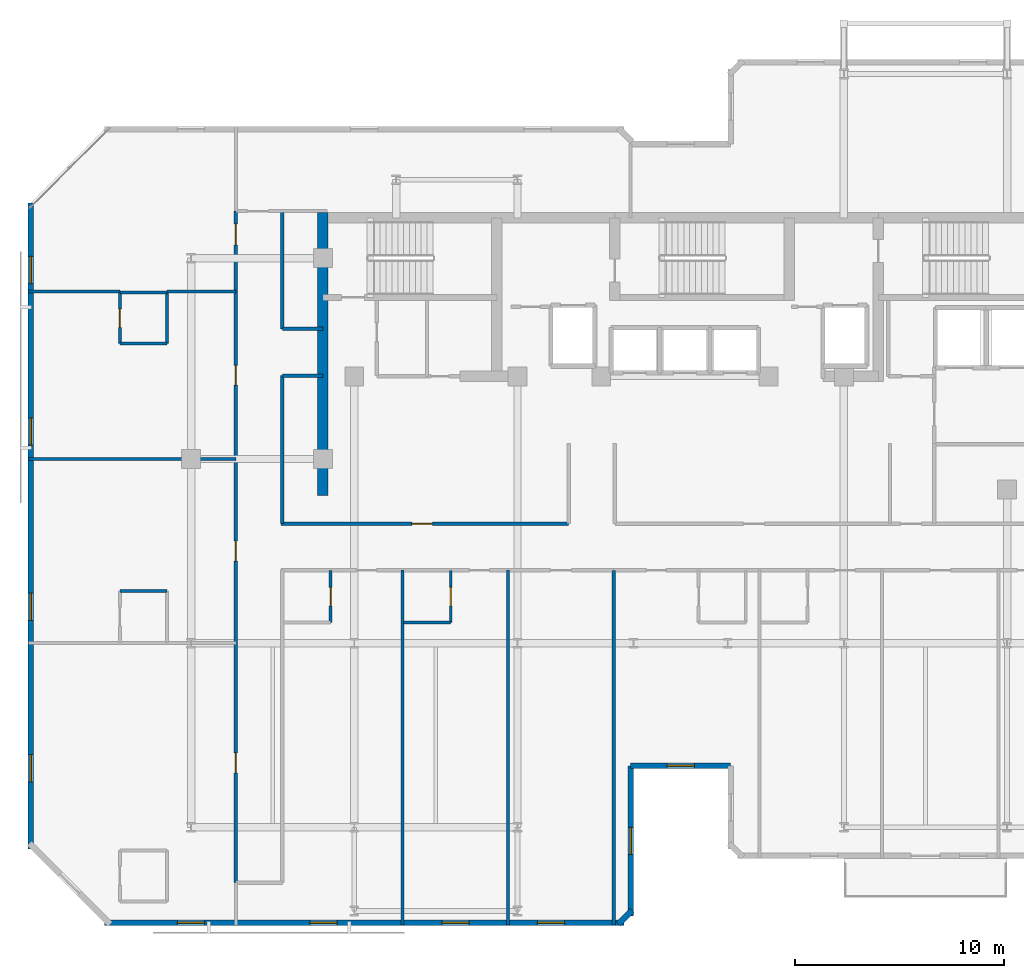
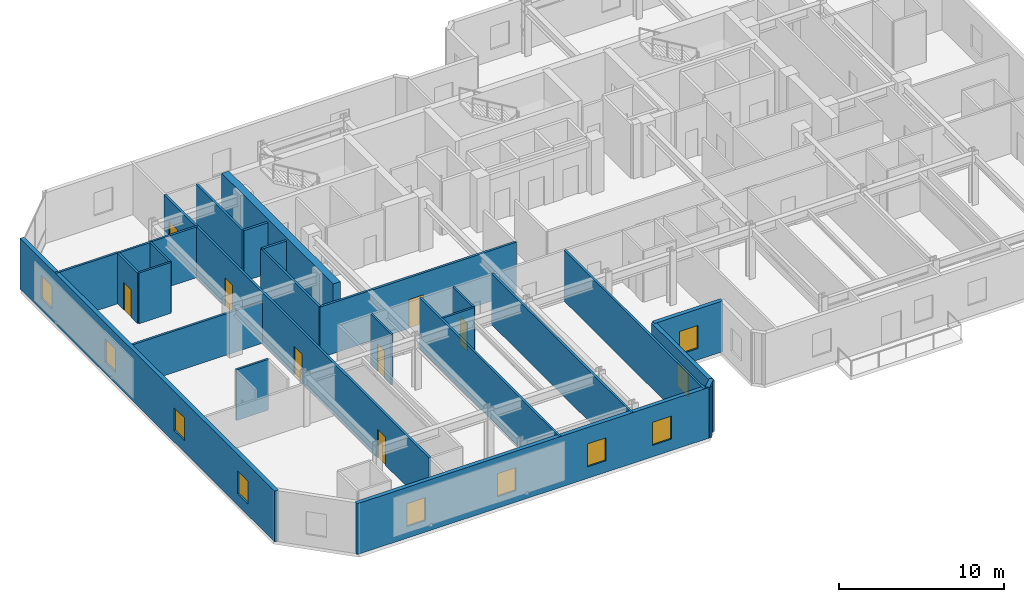
# One storey, part 4 of 10: 26 walls, 10 windows, 8 doors, 18 openings.
"""IFC4 building model written with IfcOpenShell, lengths in metres."""

from ifc_helpers import new_model, si_unit, direction, frame, frame_2d, origin, place, context, subcontext, project, spatial, rectangle, extrude, material, layer, layer_set, type_object, element, fill, save


model = new_model("IFC4")

# Units and contexts
model_context = context("Model", 3, precision=1e-05, world=origin(), true_north=direction((0.0, 1.0)))
body_context = subcontext(model_context, "Body", "Model", "MODEL_VIEW")
ifc_project = project(units=[si_unit("LENGTHUNIT", "METRE"), si_unit("AREAUNIT", "SQUARE_METRE"), si_unit("VOLUMEUNIT", "CUBIC_METRE"), si_unit("PLANEANGLEUNIT", "RADIAN"), si_unit("MASSUNIT", "GRAM", prefix="KILO")], contexts=[model_context])

# Site, building, storey
site_placement = place(None, origin())
site = spatial("IfcSite", under=ifc_project, at=site_placement, CompositionType="ELEMENT")
building_placement = place(site_placement, origin())
building = spatial("IfcBuilding", under=site, at=building_placement, Name="Kestravale Grand Hotel", CompositionType="ELEMENT")
storey_placement = place(building_placement, frame((0.0, 0.0, 253.39990234375)))
storey = spatial("IfcBuildingStorey", under=building, at=storey_placement, Name="L63", CompositionType="ELEMENT", Elevation=253.39990234375)

# Wall
ifc_material_1 = material(Name="Concrete f'c 50 MPa", Category="concrete")
ifc_layer_1 = layer(ifc_material_1, 0.5)
ifc_layer_set_1 = layer_set([ifc_layer_1], Name="EW-CORE-500")
wall_type_1 = type_object("IfcWallType", Name="EW-CORE-500", PredefinedType="SHEAR", material=ifc_layer_set_1)
wall_1_placement = place(storey_placement, frame((21.89990234375, 27.050048828125, 0.0), z_axis=(0.0, 0.0, 1.0), x_axis=(0.0, 1.0, 0.0)))
element("IfcWall", 1, at=wall_1_placement, inside=storey, type_object=wall_type_1, Name="L63 core shear wall W1", PredefinedType="SHEAR", context=body_context, shape_type="SweptSolid", body=[
    extrude(rectangle(XDim=13.52001953125, YDim=0.5, at=frame_2d((6.760009765625, 0.0))), origin(), (0.0, 0.0, 1.0), 4.0),
])

# Wall, openings, windows
ifc_material_2 = material(Name="Precast concrete f'c 45 MPa", Category="concrete")
ifc_layer_2 = layer(ifc_material_2, 0.280029296875)
ifc_layer_set_2 = layer_set([ifc_layer_2], Name="EW-PREC-280")
wall_type_2 = type_object("IfcWallType", Name="EW-PREC-280", PredefinedType="SOLIDWALL", material=ifc_layer_set_2)
wall_2_placement = place(storey_placement, frame((11.4599609375, 6.639892578125, 0.0), z_axis=(0.0, 0.0, 1.0), x_axis=(1.0, 0.0, 0.0)))
wall_2 = element("IfcWall", 2, at=wall_2_placement, inside=storey, type_object=wall_type_2, Name="L63 fluted precast facade wall 1", PredefinedType="SOLIDWALL", context=body_context, shape_type="SweptSolid", body=[
    extrude(rectangle(XDim=24.830078125, YDim=0.280029296875, at=frame_2d((12.4150390625, 0.0))), origin(), (0.0, 0.0, 1.0), 3.760009765625),
])
opening_1_placement = place(wall_2_placement, frame((3.48828125, 0.0, 0.85009765625)))
opening_1 = element("IfcOpeningElement", 3, at=opening_1_placement, cuts=wall_2, Name="Opening W-GUEST-1300", PredefinedType="OPENING", context=body_context, shape_type="SweptSolid", body=[
    extrude(rectangle(XDim=1.300048828125, YDim=1.699951171875, at=frame_2d((0.64990234375, 0.85009765625))), frame((0.0, 0.14990234375, 0.0), z_axis=(0.0, -1.0, 0.0), x_axis=(1.0, 0.0, 0.0)), (0.0, 0.0, 1.0), 0.300048828125),
])
opening_2_placement = place(wall_2_placement, frame((20.691650390625, 0.0, 0.85009765625)))
opening_2 = element("IfcOpeningElement", 4, at=opening_2_placement, cuts=wall_2, Name="Opening W-GUEST-1300", PredefinedType="OPENING", context=body_context, shape_type="SweptSolid", body=[
    extrude(rectangle(XDim=1.300048828125, YDim=1.699951171875, at=frame_2d((0.64990234375, 0.85009765625))), frame((0.0, 0.14990234375, 0.0), z_axis=(0.0, -1.0, 0.0), x_axis=(1.0, 0.0, 0.0)), (0.0, 0.0, 1.0), 0.300048828125),
])
opening_3_placement = place(wall_2_placement, frame((9.820068359375, 0.0, 0.85009765625)))
opening_3 = element("IfcOpeningElement", 5, at=opening_3_placement, cuts=wall_2, Name="Opening W-GUEST-1300", PredefinedType="OPENING", context=body_context, shape_type="SweptSolid", body=[
    extrude(rectangle(XDim=1.300048828125, YDim=1.699951171875, at=frame_2d((0.64990234375, 0.85009765625))), frame((0.0, 0.14990234375, 0.0), z_axis=(0.0, -1.0, 0.0), x_axis=(1.0, 0.0, 0.0)), (0.0, 0.0, 1.0), 0.300048828125),
])
opening_4_placement = place(wall_2_placement, frame((16.125, 0.0, 0.85009765625)))
opening_4 = element("IfcOpeningElement", 6, at=opening_4_placement, cuts=wall_2, Name="Opening W-GUEST-1300", PredefinedType="OPENING", context=body_context, shape_type="SweptSolid", body=[
    extrude(rectangle(XDim=1.300048828125, YDim=1.699951171875, at=frame_2d((0.64990234375, 0.85009765625))), frame((0.0, 0.14990234375, 0.0), z_axis=(0.0, -1.0, 0.0), x_axis=(1.0, 0.0, 0.0)), (0.0, 0.0, 1.0), 0.300048828125),
])
ifc_material_3 = material(Name="Insulated low-E double glazing in aluminium frame", Category="aluminium")
window_type = type_object("IfcWindowType", Name="W-GUEST-1300", PartitioningType="SINGLE_PANEL", PredefinedType="WINDOW", material=ifc_material_3)
window_1_placement = place(opening_1_placement, origin())
window_1 = element("IfcWindow", 7, at=window_1_placement, inside=storey, type_object=window_type, Name="L63 exterior window 1.1", OverallHeight=1.699951171875, OverallWidth=1.300048828125, PartitioningType="SINGLE_PANEL", PredefinedType="WINDOW", context=body_context, shape_type="SweptSolid", body=[
    extrude(rectangle(XDim=1.300048828125, YDim=1.699951171875, at=frame_2d((0.64990234375, 0.85009765625))), frame((0.0, 0.030029296875, 0.0), z_axis=(0.0, -1.0, 0.0), x_axis=(1.0, 0.0, 0.0)), (0.0, 0.0, 1.0), 0.06005859375),
])
fill(opening_1, window_1)
window_2_placement = place(opening_2_placement, origin())
window_2 = element("IfcWindow", 8, at=window_2_placement, inside=storey, type_object=window_type, Name="L63 exterior window 1.2", OverallHeight=1.699951171875, OverallWidth=1.300048828125, PartitioningType="SINGLE_PANEL", PredefinedType="WINDOW", context=body_context, shape_type="SweptSolid", body=[
    extrude(rectangle(XDim=1.300048828125, YDim=1.699951171875, at=frame_2d((0.64990234375, 0.85009765625))), frame((0.0, 0.030029296875, 0.0), z_axis=(0.0, -1.0, 0.0), x_axis=(1.0, 0.0, 0.0)), (0.0, 0.0, 1.0), 0.06005859375),
])
fill(opening_2, window_2)
window_3_placement = place(opening_3_placement, origin())
window_3 = element("IfcWindow", 9, at=window_3_placement, inside=storey, type_object=window_type, Name="L63 guestroom envelope window 1", OverallHeight=1.699951171875, OverallWidth=1.300048828125, PartitioningType="SINGLE_PANEL", PredefinedType="WINDOW", context=body_context, shape_type="SweptSolid", body=[
    extrude(rectangle(XDim=1.300048828125, YDim=1.699951171875, at=frame_2d((0.64990234375, 0.85009765625))), frame((0.0, 0.030029296875, 0.0), z_axis=(0.0, -1.0, 0.0), x_axis=(1.0, 0.0, 0.0)), (0.0, 0.0, 1.0), 0.06005859375),
])
fill(opening_3, window_3)
window_4_placement = place(opening_4_placement, origin())
window_4 = element("IfcWindow", 10, at=window_4_placement, inside=storey, type_object=window_type, Name="L63 guestroom envelope window 2", OverallHeight=1.699951171875, OverallWidth=1.300048828125, PartitioningType="SINGLE_PANEL", PredefinedType="WINDOW", context=body_context, shape_type="SweptSolid", body=[
    extrude(rectangle(XDim=1.300048828125, YDim=1.699951171875, at=frame_2d((0.64990234375, 0.85009765625))), frame((0.0, 0.030029296875, 0.0), z_axis=(0.0, -1.0, 0.0), x_axis=(1.0, 0.0, 0.0)), (0.0, 0.0, 1.0), 0.06005859375),
])
fill(opening_4, window_4)

# Wall
wall_3_placement = place(storey_placement, frame((36.022705078125, 6.57080078125, 0.0), z_axis=(0.0, 0.0, 1.0), x_axis=(0.707106781187, 0.707106781187, 0.0)))
element("IfcWall", 11, at=wall_3_placement, inside=storey, type_object=wall_type_2, Name="L63 fluted precast facade wall 2", PredefinedType="SOLIDWALL", context=body_context, shape_type="SweptSolid", body=[
    extrude(rectangle(XDim=0.928466796875, YDim=0.280029296875, at=frame_2d((0.46435546875, 0.0))), origin(), (0.0, 0.0, 1.0), 3.760009765625),
])

# Wall, opening, window
wall_4_placement = place(storey_placement, frame((36.610107421875, 6.9599609375, 0.0), z_axis=(0.0, 0.0, 1.0), x_axis=(0.0, 1.0, 0.0)))
wall_4 = element("IfcWall", 12, at=wall_4_placement, inside=storey, type_object=wall_type_2, Name="L63 fluted precast facade wall 3", PredefinedType="SOLIDWALL", context=body_context, shape_type="SweptSolid", body=[
    extrude(rectangle(XDim=7.179931640625, YDim=0.280029296875, at=frame_2d((3.58984375, 0.0))), origin(), (0.0, 0.0, 1.0), 3.760009765625),
])
opening_5_placement = place(wall_4_placement, frame((2.93994140625, 0.0, 0.85009765625)))
opening_5 = element("IfcOpeningElement", 13, at=opening_5_placement, cuts=wall_4, Name="Opening W-GUEST-1300", PredefinedType="OPENING", context=body_context, shape_type="SweptSolid", body=[
    extrude(rectangle(XDim=1.300048828125, YDim=1.699951171875, at=frame_2d((0.64990234375, 0.85009765625))), frame((0.0, 0.14990234375, 0.0), z_axis=(0.0, -1.0, 0.0), x_axis=(1.0, 0.0, 0.0)), (0.0, 0.0, 1.0), 0.300048828125),
])
window_5_placement = place(opening_5_placement, origin())
window_5 = element("IfcWindow", 14, at=window_5_placement, inside=storey, type_object=window_type, Name="L63 exterior window 3.1", OverallHeight=1.699951171875, OverallWidth=1.300048828125, PartitioningType="SINGLE_PANEL", PredefinedType="WINDOW", context=body_context, shape_type="SweptSolid", body=[
    extrude(rectangle(XDim=1.300048828125, YDim=1.699951171875, at=frame_2d((0.64990234375, 0.85009765625))), frame((0.0, 0.030029296875, 0.0), z_axis=(0.0, -1.0, 0.0), x_axis=(1.0, 0.0, 0.0)), (0.0, 0.0, 1.0), 0.06005859375),
])
fill(opening_5, window_5)

wall_5_placement = place(storey_placement, frame((36.610107421875, 14.139892578125, 0.0), z_axis=(0.0, 0.0, 1.0), x_axis=(1.0, 0.0, 0.0)))
wall_5 = element("IfcWall", 15, at=wall_5_placement, inside=storey, type_object=wall_type_2, Name="L63 fluted precast facade wall 4", PredefinedType="SOLIDWALL", context=body_context, shape_type="SweptSolid", body=[
    extrude(rectangle(XDim=4.77978515625, YDim=0.280029296875, at=frame_2d((2.389892578125, 0.0))), origin(), (0.0, 0.0, 1.0), 3.760009765625),
])
opening_6_placement = place(wall_5_placement, frame((1.739990234375, 0.0, 0.85009765625)))
opening_6 = element("IfcOpeningElement", 16, at=opening_6_placement, cuts=wall_5, Name="Opening W-GUEST-1300", PredefinedType="OPENING", context=body_context, shape_type="SweptSolid", body=[
    extrude(rectangle(XDim=1.300048828125, YDim=1.699951171875, at=frame_2d((0.64990234375, 0.85009765625))), frame((0.0, 0.14990234375, 0.0), z_axis=(0.0, -1.0, 0.0), x_axis=(1.0, 0.0, 0.0)), (0.0, 0.0, 1.0), 0.300048828125),
])
window_6_placement = place(opening_6_placement, origin())
window_6 = element("IfcWindow", 17, at=window_6_placement, inside=storey, type_object=window_type, Name="L63 exterior window 4.1", OverallHeight=1.699951171875, OverallWidth=1.300048828125, PartitioningType="SINGLE_PANEL", PredefinedType="WINDOW", context=body_context, shape_type="SweptSolid", body=[
    extrude(rectangle(XDim=1.300048828125, YDim=1.699951171875, at=frame_2d((0.64990234375, 0.85009765625))), frame((0.0, 0.030029296875, 0.0), z_axis=(0.0, -1.0, 0.0), x_axis=(1.0, 0.0, 0.0)), (0.0, 0.0, 1.0), 0.06005859375),
])
fill(opening_6, window_6)

# Wall, openings, windows
wall_6_placement = place(storey_placement, frame((7.93994140625, 41.0400390625, 0.0), z_axis=(0.0, 0.0, 1.0), x_axis=(0.0, -1.0, 0.0)))
wall_6 = element("IfcWall", 18, at=wall_6_placement, inside=storey, type_object=wall_type_2, Name="L63 fluted precast facade wall 19", PredefinedType="SOLIDWALL", context=body_context, shape_type="SweptSolid", body=[
    extrude(rectangle(XDim=30.880126953125, YDim=0.280029296875, at=frame_2d((15.43994140625, 0.0))), origin(), (0.0, 0.0, 1.0), 3.760009765625),
])
opening_7_placement = place(wall_6_placement, frame((2.56005859375, 0.0, 0.85009765625)))
opening_7 = element("IfcOpeningElement", 19, at=opening_7_placement, cuts=wall_6, Name="Opening W-GUEST-1300", PredefinedType="OPENING", context=body_context, shape_type="SweptSolid", body=[
    extrude(rectangle(XDim=1.300048828125, YDim=1.699951171875, at=frame_2d((0.64990234375, 0.85009765625))), frame((0.0, 0.14990234375, 0.0), z_axis=(0.0, -1.0, 0.0), x_axis=(1.0, 0.0, 0.0)), (0.0, 0.0, 1.0), 0.300048828125),
])
opening_8_placement = place(wall_6_placement, frame((10.280029296875, 0.0, 0.85009765625)))
opening_8 = element("IfcOpeningElement", 20, at=opening_8_placement, cuts=wall_6, Name="Opening W-GUEST-1300", PredefinedType="OPENING", context=body_context, shape_type="SweptSolid", body=[
    extrude(rectangle(XDim=1.300048828125, YDim=1.699951171875, at=frame_2d((0.64990234375, 0.85009765625))), frame((0.0, 0.14990234375, 0.0), z_axis=(0.0, -1.0, 0.0), x_axis=(1.0, 0.0, 0.0)), (0.0, 0.0, 1.0), 0.300048828125),
])
opening_9_placement = place(wall_6_placement, frame((18.64990234375, 0.0, 0.85009765625)))
opening_9 = element("IfcOpeningElement", 21, at=opening_9_placement, cuts=wall_6, Name="Opening W-GUEST-1300", PredefinedType="OPENING", context=body_context, shape_type="SweptSolid", body=[
    extrude(rectangle(XDim=1.300048828125, YDim=1.699951171875, at=frame_2d((0.64990234375, 0.85009765625))), frame((0.0, 0.14990234375, 0.0), z_axis=(0.0, -1.0, 0.0), x_axis=(1.0, 0.0, 0.0)), (0.0, 0.0, 1.0), 0.300048828125),
])
opening_10_placement = place(wall_6_placement, frame((26.3701171875, 0.0, 0.85009765625)))
opening_10 = element("IfcOpeningElement", 22, at=opening_10_placement, cuts=wall_6, Name="Opening W-GUEST-1300", PredefinedType="OPENING", context=body_context, shape_type="SweptSolid", body=[
    extrude(rectangle(XDim=1.300048828125, YDim=1.699951171875, at=frame_2d((0.64990234375, 0.85009765625))), frame((0.0, 0.14990234375, 0.0), z_axis=(0.0, -1.0, 0.0), x_axis=(1.0, 0.0, 0.0)), (0.0, 0.0, 1.0), 0.300048828125),
])
window_7_placement = place(opening_7_placement, origin())
window_7 = element("IfcWindow", 23, at=window_7_placement, inside=storey, type_object=window_type, Name="L63 exterior window 19.1", OverallHeight=1.699951171875, OverallWidth=1.300048828125, PartitioningType="SINGLE_PANEL", PredefinedType="WINDOW", context=body_context, shape_type="SweptSolid", body=[
    extrude(rectangle(XDim=1.300048828125, YDim=1.699951171875, at=frame_2d((0.64990234375, 0.85009765625))), frame((0.0, 0.030029296875, 0.0), z_axis=(0.0, -1.0, 0.0), x_axis=(1.0, 0.0, 0.0)), (0.0, 0.0, 1.0), 0.06005859375),
])
fill(opening_7, window_7)
window_8_placement = place(opening_8_placement, origin())
window_8 = element("IfcWindow", 24, at=window_8_placement, inside=storey, type_object=window_type, Name="L63 exterior window 19.2", OverallHeight=1.699951171875, OverallWidth=1.300048828125, PartitioningType="SINGLE_PANEL", PredefinedType="WINDOW", context=body_context, shape_type="SweptSolid", body=[
    extrude(rectangle(XDim=1.300048828125, YDim=1.699951171875, at=frame_2d((0.64990234375, 0.85009765625))), frame((0.0, 0.030029296875, 0.0), z_axis=(0.0, -1.0, 0.0), x_axis=(1.0, 0.0, 0.0)), (0.0, 0.0, 1.0), 0.06005859375),
])
fill(opening_8, window_8)
window_9_placement = place(opening_9_placement, origin())
window_9 = element("IfcWindow", 25, at=window_9_placement, inside=storey, type_object=window_type, Name="L63 exterior window 19.3", OverallHeight=1.699951171875, OverallWidth=1.300048828125, PartitioningType="SINGLE_PANEL", PredefinedType="WINDOW", context=body_context, shape_type="SweptSolid", body=[
    extrude(rectangle(XDim=1.300048828125, YDim=1.699951171875, at=frame_2d((0.64990234375, 0.85009765625))), frame((0.0, 0.030029296875, 0.0), z_axis=(0.0, -1.0, 0.0), x_axis=(1.0, 0.0, 0.0)), (0.0, 0.0, 1.0), 0.06005859375),
])
fill(opening_9, window_9)
window_10_placement = place(opening_10_placement, origin())
window_10 = element("IfcWindow", 26, at=window_10_placement, inside=storey, type_object=window_type, Name="L63 exterior window 19.4", OverallHeight=1.699951171875, OverallWidth=1.300048828125, PartitioningType="SINGLE_PANEL", PredefinedType="WINDOW", context=body_context, shape_type="SweptSolid", body=[
    extrude(rectangle(XDim=1.300048828125, YDim=1.699951171875, at=frame_2d((0.64990234375, 0.85009765625))), frame((0.0, 0.030029296875, 0.0), z_axis=(0.0, -1.0, 0.0), x_axis=(1.0, 0.0, 0.0)), (0.0, 0.0, 1.0), 0.06005859375),
])
fill(opening_10, window_10)

# Wall, opening, door
ifc_material_4 = material(Name="Acoustic fire-rated gypsum board partition", Category="other")
ifc_layer_3 = layer(ifc_material_4, 0.159912109375)
ifc_layer_set_3 = layer_set([ifc_layer_3], Name="IW-CORR-160")
wall_type_3 = type_object("IfcWallType", Name="IW-CORR-160", PredefinedType="PARTITIONING", material=ifc_layer_set_3)
wall_7_placement = place(storey_placement, frame((19.89990234375, 25.7099609375, 0.0), z_axis=(0.0, 0.0, 1.0), x_axis=(1.0, 0.0, 0.0)))
wall_7 = element("IfcWall", 27, at=wall_7_placement, inside=storey, type_object=wall_type_3, Name="W-L63-CW-N", PredefinedType="PARTITIONING", context=body_context, shape_type="SweptSolid", body=[
    extrude(rectangle(XDim=13.75, YDim=0.159912109375, at=frame_2d((6.875, 0.0))), origin(), (0.0, 0.0, 1.0), 3.760009765625),
])
opening_11_placement = place(wall_7_placement, frame((6.25, 0.0, 0.0)))
opening_11 = element("IfcOpeningElement", 28, at=opening_11_placement, cuts=wall_7, Name="Opening D-GUEST-1000", PredefinedType="OPENING", context=body_context, shape_type="SweptSolid", body=[
    extrude(rectangle(XDim=1.0, YDim=2.14990234375, at=frame_2d((0.5, 1.074951171875))), frame((0.0, 0.08984375, 0.0), z_axis=(0.0, -1.0, 0.0), x_axis=(1.0, 0.0, 0.0)), (0.0, 0.0, 1.0), 0.179931640625),
])
ifc_material_5 = material(Name="Accessible walnut veneer hotel entrance fire door", Category="wood")
door_type_1 = type_object("IfcDoorType", Name="D-GUEST-1000", OperationType="NOTDEFINED", PredefinedType="DOOR", material=ifc_material_5)
door_1_placement = place(opening_11_placement, origin())
door_1 = element("IfcDoor", 29, at=door_1_placement, inside=storey, type_object=door_type_1, Name="D-L63-RECL-W", OperationType="SINGLE_SWING_LEFT", OverallHeight=2.14990234375, OverallWidth=1.0, PredefinedType="DOOR", context=body_context, shape_type="SweptSolid", body=[
    extrude(rectangle(XDim=1.0, YDim=2.14990234375, at=frame_2d((0.5, 1.074951171875))), frame((0.0, 0.02490234375, 0.0), z_axis=(0.0, -1.0, 0.0), x_axis=(1.0, 0.0, 0.0)), (0.0, 0.0, 1.0), 0.050048828125),
])
fill(opening_11, door_1)

# Wall, openings, doors
wall_8_placement = place(storey_placement, frame((17.739990234375, 8.550048828125, 0.0), z_axis=(0.0, 0.0, 1.0), x_axis=(0.0, 1.0, 0.0)))
wall_8 = element("IfcWall", 30, at=wall_8_placement, inside=storey, type_object=wall_type_3, Name="W-L63-SW-W", PredefinedType="PARTITIONING", context=body_context, shape_type="SweptSolid", body=[
    extrude(rectangle(XDim=32.099853515625, YDim=0.159912109375, at=frame_2d((16.0498046875, 0.0))), origin(), (0.0, 0.0, 1.0), 3.760009765625),
])
opening_12_placement = place(wall_8_placement, frame((5.25, 0.0, 0.0)))
opening_12 = element("IfcOpeningElement", 31, at=opening_12_placement, cuts=wall_8, Name="Opening D-GUEST-950", PredefinedType="OPENING", context=body_context, shape_type="SweptSolid", body=[
    extrude(rectangle(XDim=0.949951171875, YDim=2.10009765625, at=frame_2d((0.47509765625, 1.050048828125))), frame((0.0, 0.08984375, 0.0), z_axis=(0.0, -1.0, 0.0), x_axis=(1.0, 0.0, 0.0)), (0.0, 0.0, 1.0), 0.179931640625),
])
opening_13_placement = place(wall_8_placement, frame((15.375, 0.0, 0.0)))
opening_13 = element("IfcOpeningElement", 32, at=opening_13_placement, cuts=wall_8, Name="Opening D-GUEST-950", PredefinedType="OPENING", context=body_context, shape_type="SweptSolid", body=[
    extrude(rectangle(XDim=0.949951171875, YDim=2.10009765625, at=frame_2d((0.47509765625, 1.050048828125))), frame((0.0, 0.08984375, 0.0), z_axis=(0.0, -1.0, 0.0), x_axis=(1.0, 0.0, 0.0)), (0.0, 0.0, 1.0), 0.179931640625),
])
opening_14_placement = place(wall_8_placement, frame((23.77490234375, 0.0, 0.0)))
opening_14 = element("IfcOpeningElement", 33, at=opening_14_placement, cuts=wall_8, Name="Opening D-GUEST-950", PredefinedType="OPENING", context=body_context, shape_type="SweptSolid", body=[
    extrude(rectangle(XDim=0.949951171875, YDim=2.10009765625, at=frame_2d((0.47509765625, 1.050048828125))), frame((0.0, 0.08984375, 0.0), z_axis=(0.0, -1.0, 0.0), x_axis=(1.0, 0.0, 0.0)), (0.0, 0.0, 1.0), 0.179931640625),
])
opening_15_placement = place(wall_8_placement, frame((30.485595703125, 0.0, 0.0)))
opening_15 = element("IfcOpeningElement", 34, at=opening_15_placement, cuts=wall_8, Name="Opening D-GUEST-1000", PredefinedType="OPENING", context=body_context, shape_type="SweptSolid", body=[
    extrude(rectangle(XDim=1.0, YDim=2.14990234375, at=frame_2d((0.5, 1.074951171875))), frame((0.0, 0.08984375, 0.0), z_axis=(0.0, -1.0, 0.0), x_axis=(1.0, 0.0, 0.0)), (0.0, 0.0, 1.0), 0.179931640625),
])
door_2_placement = place(opening_15_placement, origin())
door_2 = element("IfcDoor", 35, at=door_2_placement, inside=storey, type_object=door_type_1, Name="D-L63-AMWW", OperationType="SINGLE_SWING_RIGHT", OverallHeight=2.14990234375, OverallWidth=1.0, PredefinedType="DOOR", context=body_context, shape_type="SweptSolid", body=[
    extrude(rectangle(XDim=1.0, YDim=2.14990234375, at=frame_2d((0.5, 1.074951171875))), frame((0.0, 0.02490234375, 0.0), z_axis=(0.0, -1.0, 0.0), x_axis=(1.0, 0.0, 0.0)), (0.0, 0.0, 1.0), 0.050048828125),
])
fill(opening_15, door_2)
ifc_material_6 = material(Name="Walnut veneer hotel guestroom entrance fire door", Category="wood")
door_type_2 = type_object("IfcDoorType", Name="D-GUEST-950", OperationType="NOTDEFINED", PredefinedType="DOOR", material=ifc_material_6)
door_3_placement = place(opening_12_placement, origin())
door_3 = element("IfcDoor", 36, at=door_3_placement, inside=storey, type_object=door_type_2, Name="D-L63-U06-ENT", OperationType="SINGLE_SWING_LEFT", OverallHeight=2.10009765625, OverallWidth=0.949951171875, PredefinedType="DOOR", context=body_context, shape_type="SweptSolid", body=[
    extrude(rectangle(XDim=0.949951171875, YDim=2.10009765625, at=frame_2d((0.47509765625, 1.050048828125))), frame((0.0, 0.02490234375, 0.0), z_axis=(0.0, -1.0, 0.0), x_axis=(1.0, 0.0, 0.0)), (0.0, 0.0, 1.0), 0.050048828125),
])
fill(opening_12, door_3)
door_4_placement = place(opening_13_placement, origin())
door_4 = element("IfcDoor", 37, at=door_4_placement, inside=storey, type_object=door_type_2, Name="D-L63-U07-ENT", OperationType="SINGLE_SWING_LEFT", OverallHeight=2.10009765625, OverallWidth=0.949951171875, PredefinedType="DOOR", context=body_context, shape_type="SweptSolid", body=[
    extrude(rectangle(XDim=0.949951171875, YDim=2.10009765625, at=frame_2d((0.47509765625, 1.050048828125))), frame((0.0, 0.02490234375, 0.0), z_axis=(0.0, -1.0, 0.0), x_axis=(1.0, 0.0, 0.0)), (0.0, 0.0, 1.0), 0.050048828125),
])
fill(opening_13, door_4)
door_5_placement = place(opening_14_placement, origin())
door_5 = element("IfcDoor", 38, at=door_5_placement, inside=storey, type_object=door_type_2, Name="D-L63-U08-ENT", OperationType="SINGLE_SWING_LEFT", OverallHeight=2.10009765625, OverallWidth=0.949951171875, PredefinedType="DOOR", context=body_context, shape_type="SweptSolid", body=[
    extrude(rectangle(XDim=0.949951171875, YDim=2.10009765625, at=frame_2d((0.47509765625, 1.050048828125))), frame((0.0, 0.02490234375, 0.0), z_axis=(0.0, -1.0, 0.0), x_axis=(1.0, 0.0, 0.0)), (0.0, 0.0, 1.0), 0.050048828125),
])
fill(opening_14, door_5)

# Walls
wall_9_placement = place(storey_placement, frame((19.9599609375, 35.02001953125, 0.0), z_axis=(0.0, 0.0, 1.0), x_axis=(0.0, 1.0, 0.0)))
element("IfcWall", 39, at=wall_9_placement, inside=storey, type_object=wall_type_3, Name="W-L63-SW-EN", PredefinedType="PARTITIONING", context=body_context, shape_type="SweptSolid", body=[
    extrude(rectangle(XDim=5.6298828125, YDim=0.159912109375, at=frame_2d((2.81494140625, 0.0))), origin(), (0.0, 0.0, 1.0), 3.760009765625),
])
for number, where, z_axis, x_axis, name in (
    (40, (19.9599609375, 35.02001953125, 0.0), (0.0, 0.0, 1.0), (1.0, 0.0, 0.0), "W-L63-SW-CN"),
    (41, (19.9599609375, 32.780029296875, 0.0), (0.0, 0.0, 1.0), (1.0, 0.0, 0.0), "W-L63-SW-CS"),
):
    element("IfcWall", number, at=place(storey_placement, frame(where, z_axis=z_axis, x_axis=x_axis)), inside=storey, type_object=wall_type_3, Name=name, PredefinedType="PARTITIONING", context=body_context, shape_type="SweptSolid", body=[
        extrude(rectangle(XDim=1.93994140625, YDim=0.159912109375, at=frame_2d((0.969970703125, 0.0))), origin(), (0.0, 0.0, 1.0), 3.760009765625),
    ])

# Wall, opening, door
ifc_material_7 = material(Name="Moisture-resistant tile-backer plumbing chase wall", Category="other")
ifc_layer_4 = layer(ifc_material_7, 0.139892578125)
ifc_layer_set_4 = layer_set([ifc_layer_4], Name="IW-PLB-140")
wall_type_4 = type_object("IfcWallType", Name="IW-PLB-140", PredefinedType="PLUMBINGWALL", material=ifc_layer_set_4)
wall_10_placement = place(storey_placement, frame((22.27001953125, 20.97998046875, 0.0), z_axis=(0.0, 0.0, 1.0), x_axis=(0.0, 1.0, 0.0)))
wall_10 = element("IfcWall", 42, at=wall_10_placement, inside=storey, type_object=wall_type_4, Name="W-L63-U01-BE", PredefinedType="PLUMBINGWALL", context=body_context, shape_type="SweptSolid", body=[
    extrude(rectangle(XDim=2.489990234375, YDim=0.139892578125, at=frame_2d((1.2451171875, 0.0))), origin(), (0.0, 0.0, 1.0), 3.760009765625),
])
opening_16_placement = place(wall_10_placement, frame((0.804931640625, 0.0, 0.0)))
opening_16 = element("IfcOpeningElement", 43, at=opening_16_placement, cuts=wall_10, Name="Opening D-BATH-880", PredefinedType="OPENING", context=body_context, shape_type="SweptSolid", body=[
    extrude(rectangle(XDim=0.8798828125, YDim=2.050048828125, at=frame_2d((0.43994140625, 1.02490234375))), frame((0.0, 0.079833984375, 0.0), z_axis=(0.0, -1.0, 0.0), x_axis=(1.0, 0.0, 0.0)), (0.0, 0.0, 1.0), 0.159912109375),
])
ifc_material_8 = material(Name="Moisture-sealed walnut en-suite bathroom door", Category="wood")
door_type_3 = type_object("IfcDoorType", Name="D-BATH-880", OperationType="NOTDEFINED", PredefinedType="DOOR", material=ifc_material_8)
door_6_placement = place(opening_16_placement, origin())
door_6 = element("IfcDoor", 44, at=door_6_placement, inside=storey, type_object=door_type_3, Name="D-L63-U01-BATH", OperationType="SINGLE_SWING_RIGHT", OverallHeight=2.050048828125, OverallWidth=0.8798828125, PredefinedType="DOOR", context=body_context, shape_type="SweptSolid", body=[
    extrude(rectangle(XDim=0.8798828125, YDim=2.050048828125, at=frame_2d((0.43994140625, 1.02490234375))), frame((0.0, 0.02490234375, 0.0), z_axis=(0.0, -1.0, 0.0), x_axis=(1.0, 0.0, 0.0)), (0.0, 0.0, 1.0), 0.050048828125),
])
fill(opening_16, door_6)

wall_11_placement = place(storey_placement, frame((28.010009765625, 20.97998046875, 0.0), z_axis=(0.0, 0.0, 1.0), x_axis=(0.0, 1.0, 0.0)))
wall_11 = element("IfcWall", 45, at=wall_11_placement, inside=storey, type_object=wall_type_4, Name="W-L63-U02-BE", PredefinedType="PLUMBINGWALL", context=body_context, shape_type="SweptSolid", body=[
    extrude(rectangle(XDim=2.489990234375, YDim=0.139892578125, at=frame_2d((1.2451171875, 0.0))), origin(), (0.0, 0.0, 1.0), 3.760009765625),
])
opening_17_placement = place(wall_11_placement, frame((0.804931640625, 0.0, 0.0)))
opening_17 = element("IfcOpeningElement", 46, at=opening_17_placement, cuts=wall_11, Name="Opening D-BATH-880", PredefinedType="OPENING", context=body_context, shape_type="SweptSolid", body=[
    extrude(rectangle(XDim=0.8798828125, YDim=2.050048828125, at=frame_2d((0.43994140625, 1.02490234375))), frame((0.0, 0.079833984375, 0.0), z_axis=(0.0, -1.0, 0.0), x_axis=(1.0, 0.0, 0.0)), (0.0, 0.0, 1.0), 0.159912109375),
])
door_7_placement = place(opening_17_placement, origin())
door_7 = element("IfcDoor", 47, at=door_7_placement, inside=storey, type_object=door_type_3, Name="D-L63-U02-BATH", OperationType="SINGLE_SWING_RIGHT", OverallHeight=2.050048828125, OverallWidth=0.8798828125, PredefinedType="DOOR", context=body_context, shape_type="SweptSolid", body=[
    extrude(rectangle(XDim=0.8798828125, YDim=2.050048828125, at=frame_2d((0.43994140625, 1.02490234375))), frame((0.0, 0.02490234375, 0.0), z_axis=(0.0, -1.0, 0.0), x_axis=(1.0, 0.0, 0.0)), (0.0, 0.0, 1.0), 0.050048828125),
])
fill(opening_17, door_7)

# Walls
for number, where, z_axis, x_axis, name in (
    (48, (25.760009765625, 20.97998046875, 0.0), (0.0, 0.0, 1.0), (1.0, 0.0, 0.0), "W-L63-U02-BS"),
    (49, (12.199951171875, 22.489990234375, 0.0), (0.0, 0.0, 1.0), (1.0, 0.0, 0.0), "W-L63-U07-BN"),
):
    element("IfcWall", number, at=place(storey_placement, frame(where, z_axis=z_axis, x_axis=x_axis)), inside=storey, type_object=wall_type_4, Name=name, PredefinedType="PLUMBINGWALL", context=body_context, shape_type="SweptSolid", body=[
        extrude(rectangle(XDim=2.25, YDim=0.139892578125, at=frame_2d((1.125, 0.0))), origin(), (0.0, 0.0, 1.0), 3.760009765625),
    ])

# Wall, opening, door
wall_12_placement = place(storey_placement, frame((12.199951171875, 34.31005859375, 0.0), z_axis=(0.0, 0.0, 1.0), x_axis=(0.0, 1.0, 0.0)))
wall_12 = element("IfcWall", 50, at=wall_12_placement, inside=storey, type_object=wall_type_4, Name="W-L63-U08-BW", PredefinedType="PLUMBINGWALL", context=body_context, shape_type="SweptSolid", body=[
    extrude(rectangle(XDim=2.449951171875, YDim=0.139892578125, at=frame_2d((1.22509765625, 0.0))), origin(), (0.0, 0.0, 1.0), 3.760009765625),
])
opening_18_placement = place(wall_12_placement, frame((0.784912109375, 0.0, 0.0)))
opening_18 = element("IfcOpeningElement", 51, at=opening_18_placement, cuts=wall_12, Name="Opening D-BATH-880", PredefinedType="OPENING", context=body_context, shape_type="SweptSolid", body=[
    extrude(rectangle(XDim=0.8798828125, YDim=2.050048828125, at=frame_2d((0.43994140625, 1.02490234375))), frame((0.0, 0.079833984375, 0.0), z_axis=(0.0, -1.0, 0.0), x_axis=(1.0, 0.0, 0.0)), (0.0, 0.0, 1.0), 0.159912109375),
])
door_8_placement = place(opening_18_placement, origin())
door_8 = element("IfcDoor", 52, at=door_8_placement, inside=storey, type_object=door_type_3, Name="D-L63-U08-BATH", OperationType="SINGLE_SWING_RIGHT", OverallHeight=2.050048828125, OverallWidth=0.8798828125, PredefinedType="DOOR", context=body_context, shape_type="SweptSolid", body=[
    extrude(rectangle(XDim=0.8798828125, YDim=2.050048828125, at=frame_2d((0.43994140625, 1.02490234375))), frame((0.0, 0.02490234375, 0.0), z_axis=(0.0, -1.0, 0.0), x_axis=(1.0, 0.0, 0.0)), (0.0, 0.0, 1.0), 0.050048828125),
])
fill(opening_18, door_8)

# Walls
wall_13_placement = place(storey_placement, frame((14.449951171875, 34.31005859375, 0.0), z_axis=(0.0, 0.0, 1.0), x_axis=(0.0, 1.0, 0.0)))
element("IfcWall", 53, at=wall_13_placement, inside=storey, type_object=wall_type_4, Name="W-L63-U08-BE", PredefinedType="PLUMBINGWALL", context=body_context, shape_type="SweptSolid", body=[
    extrude(rectangle(XDim=2.449951171875, YDim=0.139892578125, at=frame_2d((1.22509765625, 0.0))), origin(), (0.0, 0.0, 1.0), 3.760009765625),
])
for number, where, z_axis, x_axis, name in (
    (54, (12.199951171875, 34.31005859375, 0.0), (0.0, 0.0, 1.0), (1.0, 0.0, 0.0), "W-L63-U08-BS"),
    (55, (12.199951171875, 36.760009765625, 0.0), (0.0, 0.0, 1.0), (1.0, 0.0, 0.0), "W-L63-U08-BN"),
):
    element("IfcWall", number, at=place(storey_placement, frame(where, z_axis=z_axis, x_axis=x_axis)), inside=storey, type_object=wall_type_4, Name=name, PredefinedType="PLUMBINGWALL", context=body_context, shape_type="SweptSolid", body=[
        extrude(rectangle(XDim=2.25, YDim=0.139892578125, at=frame_2d((1.125, 0.0))), origin(), (0.0, 0.0, 1.0), 3.760009765625),
    ])
ifc_material_9 = material(Name="Double-stud STC 52 acoustic demising partition", Category="other")
ifc_layer_5 = layer(ifc_material_9, 0.14990234375)
ifc_layer_set_5 = layer_set([ifc_layer_5], Name="IW-UNIT-150")
wall_type_5 = type_object("IfcWallType", Name="IW-UNIT-150", PredefinedType="PARTITIONING", material=ifc_layer_set_5)
wall_14_placement = place(storey_placement, frame((19.9599609375, 25.7099609375, 0.0), z_axis=(0.0, 0.0, 1.0), x_axis=(0.0, 1.0, 0.0)))
element("IfcWall", 56, at=wall_14_placement, inside=storey, type_object=wall_type_5, Name="W-L63-RCLW-W", PredefinedType="PARTITIONING", context=body_context, shape_type="SweptSolid", body=[
    extrude(rectangle(XDim=7.090087890625, YDim=0.14990234375, at=frame_2d((3.544921875, 0.0))), origin(), (0.0, 0.0, 1.0), 3.760009765625),
])
for number, where, z_axis, x_axis, name in (
    (57, (25.699951171875, 6.52001953125, 0.0), (0.0, 0.0, 1.0), (0.0, 1.0, 0.0), "W-L63-WS-1"),
    (58, (30.75, 6.52001953125, 0.0), (0.0, 0.0, 1.0), (0.0, 1.0, 0.0), "W-L63-WS-2"),
):
    element("IfcWall", number, at=place(storey_placement, frame(where, z_axis=z_axis, x_axis=x_axis)), inside=storey, type_object=wall_type_5, Name=name, PredefinedType="PARTITIONING", context=body_context, shape_type="SweptSolid", body=[
        extrude(rectangle(XDim=16.969970703125, YDim=0.14990234375, at=frame_2d((8.48486328125, 0.0))), origin(), (0.0, 0.0, 1.0), 3.760009765625),
    ])
wall_15_placement = place(storey_placement, frame((35.800048828125, 6.52001953125, 0.0), z_axis=(0.0, 0.0, 1.0), x_axis=(0.0, 1.0, 0.0)))
element("IfcWall", 59, at=wall_15_placement, inside=storey, type_object=wall_type_5, Name="W-L63-MID-S", PredefinedType="PARTITIONING", context=body_context, shape_type="SweptSolid", body=[
    extrude(rectangle(XDim=16.949951171875, YDim=0.14990234375, at=frame_2d((8.47509765625, 0.0))), origin(), (0.0, 0.0, 1.0), 3.760009765625),
])
wall_16_placement = place(storey_placement, frame((7.820068359375, 28.800048828125, 0.0), z_axis=(0.0, 0.0, 1.0), x_axis=(1.0, 0.0, 0.0)))
element("IfcWall", 60, at=wall_16_placement, inside=storey, type_object=wall_type_5, Name="W-L63-WW-2", PredefinedType="PARTITIONING", context=body_context, shape_type="SweptSolid", body=[
    extrude(rectangle(XDim=9.919921875, YDim=0.14990234375, at=frame_2d((4.9599609375, 0.0))), origin(), (0.0, 0.0, 1.0), 3.064208984375),
])
wall_17_placement = place(storey_placement, frame((7.820068359375, 36.800048828125, 0.0), z_axis=(0.0, 0.0, 1.0), x_axis=(1.0, 0.0, 0.0)))
element("IfcWall", 61, at=wall_17_placement, inside=storey, type_object=wall_type_5, Name="W-L63-WW-3", PredefinedType="PARTITIONING", context=body_context, shape_type="SweptSolid", body=[
    extrude(rectangle(XDim=4.3798828125, YDim=0.14990234375, at=frame_2d((2.18994140625, 0.0))), origin(), (0.0, 0.0, 1.0), 3.760009765625),
])
wall_18_placement = place(storey_placement, frame((14.449951171875, 36.800048828125, 0.0), z_axis=(0.0, 0.0, 1.0), x_axis=(1.0, 0.0, 0.0)))
element("IfcWall", 62, at=wall_18_placement, inside=storey, type_object=wall_type_5, Name="W-L63-WW-3", PredefinedType="PARTITIONING", context=body_context, shape_type="SweptSolid", body=[
    extrude(rectangle(XDim=3.2900390625, YDim=0.14990234375, at=frame_2d((1.64501953125, 0.0))), origin(), (0.0, 0.0, 1.0), 3.760009765625),
])

save(model, "model.ifc")
